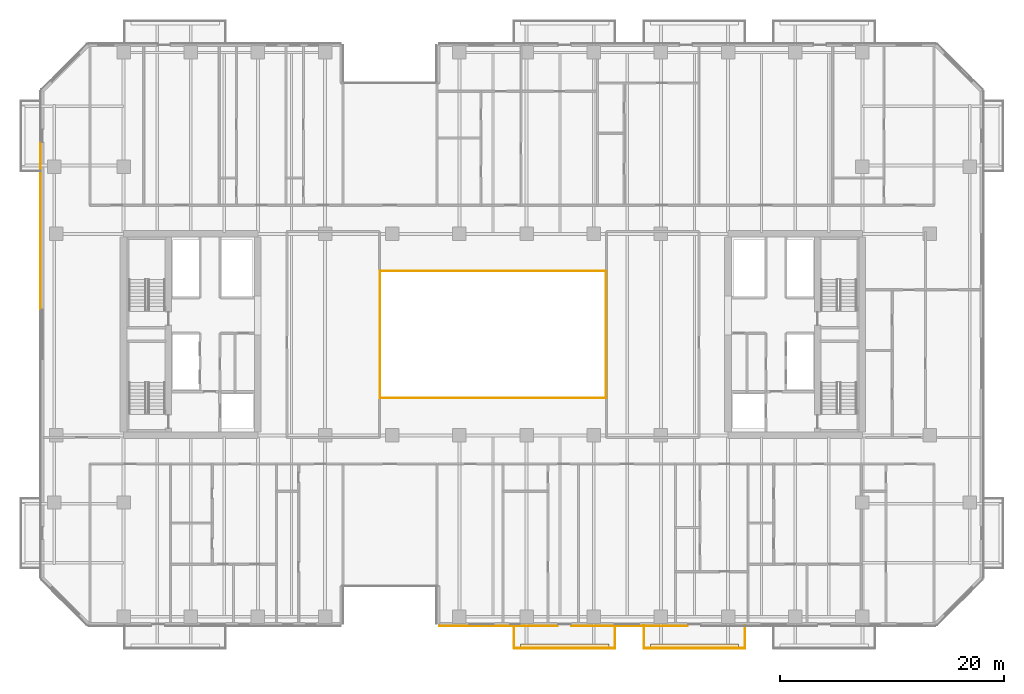
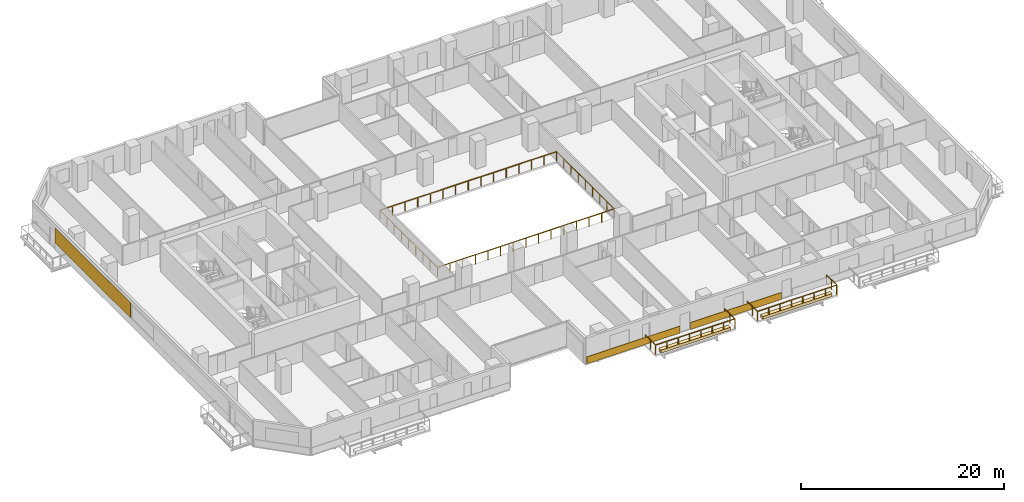
# One storey, part 21 of 26: 5 coverings, 4 railings.
"""IFC4 building model written with IfcOpenShell, lengths in metres."""

from ifc_helpers import new_model, si_unit, direction, frame, origin, origin_2d, place, context, subcontext, project, spatial, polyline, rectangle, outline, extrude, material, layer, layer_set, type_object, element, save


model = new_model("IFC4")

# Units and contexts
model_context = context("Model", 3, precision=1e-05, world=origin(), true_north=direction((0.0, 1.0)))
body_context = subcontext(model_context, "Body", "Model", "MODEL_VIEW")
ifc_project = project(units=[si_unit("LENGTHUNIT", "METRE"), si_unit("AREAUNIT", "SQUARE_METRE"), si_unit("VOLUMEUNIT", "CUBIC_METRE"), si_unit("PLANEANGLEUNIT", "RADIAN"), si_unit("MASSUNIT", "GRAM", prefix="KILO")], contexts=[model_context])

# Site, building, storey
site_placement = place(None, origin())
site = spatial("IfcSite", under=ifc_project, at=site_placement, CompositionType="ELEMENT")
building_placement = place(site_placement, origin())
building = spatial("IfcBuilding", under=site, at=building_placement, Name="Tanjung Sevakor Pilgrim Tower", CompositionType="ELEMENT")
storey_placement = place(building_placement, frame((0.0, 0.0, 45.5400390625)))
storey = spatial("IfcBuildingStorey", under=building, at=storey_placement, Name="L12", CompositionType="ELEMENT", Elevation=45.5400390625)

# Coverings
ifc_material_1 = material(Name="Reconstructed Limestone Cladding", Category="masonry")
ifc_layer_1 = layer(ifc_material_1, 0.044921875)
ifc_layer_set_1 = layer_set([ifc_layer_1], Name="COV-CLAD-LIMESTONE")
covering_type_1 = type_object("IfcCoveringType", Name="COV-CLAD-LIMESTONE", PredefinedType="CLADDING", material=ifc_layer_set_1)
covering_1_placement = place(storey_placement, frame((57.485107421875, 7.577392578125, 0.009765625), z_axis=(0.0, 0.0, 1.0), x_axis=(1.0, 0.0, 0.0)))
element("IfcCovering", 1, at=covering_1_placement, inside=storey, type_object=covering_type_1, Name="L12 Warm Limestone Sill Spandrel EW-L12-MAIN-5-1", PredefinedType="CLADDING", context=body_context, shape_type="SweptSolid", body=[
    extrude(rectangle(XDim=10.610107421875, YDim=0.044921875, at=origin_2d()), origin(), (0.0, 0.0, 1.0), 0.840087890625),
])
covering_2_placement = place(storey_placement, frame((69.199951171875, 7.577392578125, 0.009765625), z_axis=(0.0, 0.0, 1.0), x_axis=(1.0, 0.0, 0.0)))
element("IfcCovering", 2, at=covering_2_placement, inside=storey, type_object=covering_type_1, Name="L12 Warm Limestone Sill Spandrel EW-L12-MAIN-5-2", PredefinedType="CLADDING", context=body_context, shape_type="SweptSolid", body=[
    extrude(rectangle(XDim=10.3798828125, YDim=0.044921875, at=origin_2d()), origin(), (0.0, 0.0, 1.0), 0.840087890625),
])
covering_3_placement = place(storey_placement, frame((16.577392578125, 43.300048828125, 0.849853515625), z_axis=(0.0, 0.0, 1.0), x_axis=(0.0, -1.0, 0.0)))
element("IfcCovering", 3, at=covering_3_placement, inside=storey, type_object=covering_type_1, Name="L12 Warm Limestone Pier Panel EW-L12-MAIN-15-1", PredefinedType="CLADDING", context=body_context, shape_type="SweptSolid", body=[
    extrude(rectangle(XDim=14.89990234375, YDim=0.044921875, at=origin_2d()), origin(), (0.0, 0.0, 1.0), 1.81005859375),
])
ifc_material_2 = material(Name="Vegetated Modular Planter Assembly", Category="organic")
ifc_layer_2 = layer(ifc_material_2, 0.35009765625)
ifc_layer_set_2 = layer_set([ifc_layer_2], Name="COV-GRN-TROUGH")
covering_type_2 = type_object("IfcCoveringType", Name="COV-GRN-TROUGH", PredefinedType="CLADDING", material=ifc_layer_set_2)
covering_4_placement = place(storey_placement, origin())
element("IfcCovering", 4, at=covering_4_placement, inside=storey, type_object=covering_type_2, Name="L12 Planted Landscape Hedge Trough BGRN-L12-MAIN-S2", PredefinedType="CLADDING", context=body_context, shape_type="SweptSolid", body=[
    extrude(outline(polyline([(59.449951171875, 5.5), (67.35009765625, 5.5), (67.35009765625, 5.93994140625), (59.449951171875, 5.93994140625), (59.449951171875, 5.5)])), origin(), (0.0, 0.0, 1.0), 0.349853515625),
])
covering_5_placement = place(storey_placement, origin())
element("IfcCovering", 5, at=covering_5_placement, inside=storey, type_object=covering_type_2, Name="L12 Planted Landscape Hedge Trough BGRN-L12-MAIN-S3", PredefinedType="CLADDING", context=body_context, shape_type="SweptSolid", body=[
    extrude(outline(polyline([(71.050048828125, 5.5), (78.949951171875, 5.5), (78.949951171875, 5.93994140625), (71.050048828125, 5.93994140625), (71.050048828125, 5.5)])), origin(), (0.0, 0.0, 1.0), 0.349853515625),
])

# Railings
ifc_material_3 = material(Name="Laminated Glass and Aluminium", Category="aluminium")
railing_type = type_object("IfcRailingType", Name="RL-BAL-BALUST", PredefinedType="BALUSTRADE", material=ifc_material_3)
railing_1_placement = place(storey_placement, frame((46.919921875, 27.919921875, 0.0)))
element("IfcRailing", 6, at=railing_1_placement, inside=storey, type_object=railing_type, Name="L12 Void Opening Balustrade 1A", PredefinedType="BALUSTRADE", context=body_context, shape_type="SweptSolid", body=[
    extrude(rectangle(XDim=0.0479, YDim=0.0479), frame((0.0, 0.0, 1.1259765625), z_axis=(1.0, 0.0, 0.0), x_axis=(0.0, 1.0, 0.0)), (0.0, 0.0, 1.0), 20.16015625),
    extrude(rectangle(XDim=0.0479, YDim=0.0479), frame((20.16015625, 0.0, 1.1259765625), z_axis=(0.0, 1.0, 0.0), x_axis=(-1.0, 0.0, 0.0)), (0.0, 0.0, 1.0), 11.360107421875),
    extrude(rectangle(XDim=0.042, YDim=0.042), origin(), (0.0, 0.0, 1.0), 1.101806640625),
    extrude(rectangle(XDim=0.042, YDim=0.042), frame((1.43994140625, 0.0, 0.0)), (0.0, 0.0, 1.0), 1.101806640625),
    extrude(rectangle(XDim=0.042, YDim=0.042), frame((2.880126953125, 0.0, 0.0)), (0.0, 0.0, 1.0), 1.101806640625),
    extrude(rectangle(XDim=0.042, YDim=0.042), frame((4.320068359375, 0.0, 0.0)), (0.0, 0.0, 1.0), 1.101806640625),
    extrude(rectangle(XDim=0.042, YDim=0.042), frame((5.760009765625, 0.0, 0.0)), (0.0, 0.0, 1.0), 1.101806640625),
    extrude(rectangle(XDim=0.042, YDim=0.042), frame((7.199951171875, 0.0, 0.0)), (0.0, 0.0, 1.0), 1.101806640625),
    extrude(rectangle(XDim=0.042, YDim=0.042), frame((8.64013671875, 0.0, 0.0)), (0.0, 0.0, 1.0), 1.101806640625),
    extrude(rectangle(XDim=0.042, YDim=0.042), frame((10.080078125, 0.0, 0.0)), (0.0, 0.0, 1.0), 1.101806640625),
    extrude(rectangle(XDim=0.042, YDim=0.042), frame((11.52001953125, 0.0, 0.0)), (0.0, 0.0, 1.0), 1.101806640625),
    extrude(rectangle(XDim=0.042, YDim=0.042), frame((12.960205078125, 0.0, 0.0)), (0.0, 0.0, 1.0), 1.101806640625),
    extrude(rectangle(XDim=0.042, YDim=0.042), frame((14.400146484375, 0.0, 0.0)), (0.0, 0.0, 1.0), 1.101806640625),
    extrude(rectangle(XDim=0.042, YDim=0.042), frame((15.840087890625, 0.0, 0.0)), (0.0, 0.0, 1.0), 1.101806640625),
    extrude(rectangle(XDim=0.042, YDim=0.042), frame((17.280029296875, 0.0, 0.0)), (0.0, 0.0, 1.0), 1.101806640625),
    extrude(rectangle(XDim=0.042, YDim=0.042), frame((18.72021484375, 0.0, 0.0)), (0.0, 0.0, 1.0), 1.101806640625),
    extrude(rectangle(XDim=0.042, YDim=0.042), frame((20.16015625, 0.0, 0.0)), (0.0, 0.0, 1.0), 1.101806640625),
    extrude(rectangle(XDim=0.042, YDim=0.042), frame((20.16015625, 1.419921875, 0.0)), (0.0, 0.0, 1.0), 1.101806640625),
    extrude(rectangle(XDim=0.042, YDim=0.042), frame((20.16015625, 2.840087890625, 0.0)), (0.0, 0.0, 1.0), 1.101806640625),
    extrude(rectangle(XDim=0.042, YDim=0.042), frame((20.16015625, 4.260009765625, 0.0)), (0.0, 0.0, 1.0), 1.101806640625),
    extrude(rectangle(XDim=0.042, YDim=0.042), frame((20.16015625, 5.68017578125, 0.0)), (0.0, 0.0, 1.0), 1.101806640625),
    extrude(rectangle(XDim=0.042, YDim=0.042), frame((20.16015625, 7.10009765625, 0.0)), (0.0, 0.0, 1.0), 1.101806640625),
    extrude(rectangle(XDim=0.042, YDim=0.042), frame((20.16015625, 8.52001953125, 0.0)), (0.0, 0.0, 1.0), 1.101806640625),
    extrude(rectangle(XDim=0.042, YDim=0.042), frame((20.16015625, 9.940185546875, 0.0)), (0.0, 0.0, 1.0), 1.101806640625),
    extrude(rectangle(XDim=0.042, YDim=0.042), frame((20.16015625, 11.360107421875, 0.0)), (0.0, 0.0, 1.0), 1.101806640625),
])
railing_2_placement = place(storey_placement, frame((67.080078125, 39.280029296875, 0.0)))
element("IfcRailing", 7, at=railing_2_placement, inside=storey, type_object=railing_type, Name="L12 Void Opening Balustrade 1B", PredefinedType="BALUSTRADE", context=body_context, shape_type="SweptSolid", body=[
    extrude(rectangle(XDim=0.0479, YDim=0.0479), frame((0.0, 0.0, 1.1259765625), z_axis=(-1.0, 0.0, 0.0), x_axis=(0.0, -1.0, 0.0)), (0.0, 0.0, 1.0), 20.16015625),
    extrude(rectangle(XDim=0.0479, YDim=0.0479), frame((-20.16015625, 0.0, 1.1259765625), z_axis=(0.0, -1.0, 0.0), x_axis=(1.0, 0.0, 0.0)), (0.0, 0.0, 1.0), 11.360107421875),
    extrude(rectangle(XDim=0.042, YDim=0.042), origin(), (0.0, 0.0, 1.0), 1.101806640625),
    extrude(rectangle(XDim=0.042, YDim=0.042), frame((-1.43994140625, 0.0, 0.0)), (0.0, 0.0, 1.0), 1.101806640625),
    extrude(rectangle(XDim=0.042, YDim=0.042), frame((-2.880126953125, 0.0, 0.0)), (0.0, 0.0, 1.0), 1.101806640625),
    extrude(rectangle(XDim=0.042, YDim=0.042), frame((-4.320068359375, 0.0, 0.0)), (0.0, 0.0, 1.0), 1.101806640625),
    extrude(rectangle(XDim=0.042, YDim=0.042), frame((-5.760009765625, 0.0, 0.0)), (0.0, 0.0, 1.0), 1.101806640625),
    extrude(rectangle(XDim=0.042, YDim=0.042), frame((-7.199951171875, 0.0, 0.0)), (0.0, 0.0, 1.0), 1.101806640625),
    extrude(rectangle(XDim=0.042, YDim=0.042), frame((-8.64013671875, 0.0, 0.0)), (0.0, 0.0, 1.0), 1.101806640625),
    extrude(rectangle(XDim=0.042, YDim=0.042), frame((-10.080078125, 0.0, 0.0)), (0.0, 0.0, 1.0), 1.101806640625),
    extrude(rectangle(XDim=0.042, YDim=0.042), frame((-11.52001953125, 0.0, 0.0)), (0.0, 0.0, 1.0), 1.101806640625),
    extrude(rectangle(XDim=0.042, YDim=0.042), frame((-12.960205078125, 0.0, 0.0)), (0.0, 0.0, 1.0), 1.101806640625),
    extrude(rectangle(XDim=0.042, YDim=0.042), frame((-14.400146484375, 0.0, 0.0)), (0.0, 0.0, 1.0), 1.101806640625),
    extrude(rectangle(XDim=0.042, YDim=0.042), frame((-15.840087890625, 0.0, 0.0)), (0.0, 0.0, 1.0), 1.101806640625),
    extrude(rectangle(XDim=0.042, YDim=0.042), frame((-17.280029296875, 0.0, 0.0)), (0.0, 0.0, 1.0), 1.101806640625),
    extrude(rectangle(XDim=0.042, YDim=0.042), frame((-18.72021484375, 0.0, 0.0)), (0.0, 0.0, 1.0), 1.101806640625),
    extrude(rectangle(XDim=0.042, YDim=0.042), frame((-20.16015625, 0.0, 0.0)), (0.0, 0.0, 1.0), 1.101806640625),
    extrude(rectangle(XDim=0.042, YDim=0.042), frame((-20.16015625, -1.419921875, 0.0)), (0.0, 0.0, 1.0), 1.101806640625),
    extrude(rectangle(XDim=0.042, YDim=0.042), frame((-20.16015625, -2.840087890625, 0.0)), (0.0, 0.0, 1.0), 1.101806640625),
    extrude(rectangle(XDim=0.042, YDim=0.042), frame((-20.16015625, -4.260009765625, 0.0)), (0.0, 0.0, 1.0), 1.101806640625),
    extrude(rectangle(XDim=0.042, YDim=0.042), frame((-20.16015625, -5.68017578125, 0.0)), (0.0, 0.0, 1.0), 1.101806640625),
    extrude(rectangle(XDim=0.042, YDim=0.042), frame((-20.16015625, -7.10009765625, 0.0)), (0.0, 0.0, 1.0), 1.101806640625),
    extrude(rectangle(XDim=0.042, YDim=0.042), frame((-20.16015625, -8.52001953125, 0.0)), (0.0, 0.0, 1.0), 1.101806640625),
    extrude(rectangle(XDim=0.042, YDim=0.042), frame((-20.16015625, -9.940185546875, 0.0)), (0.0, 0.0, 1.0), 1.101806640625),
    extrude(rectangle(XDim=0.042, YDim=0.042), frame((-20.16015625, -11.360107421875, 0.0)), (0.0, 0.0, 1.0), 1.101806640625),
])
railing_3_placement = place(storey_placement, frame((58.8798828125, 7.60009765625, 0.0)))
element("IfcRailing", 8, at=railing_3_placement, inside=storey, type_object=railing_type, Name="L12 Loggia Balustrade MAIN-S2", PredefinedType="BALUSTRADE", context=body_context, shape_type="SweptSolid", body=[
    extrude(rectangle(XDim=0.0479, YDim=0.0479), frame((0.0, 0.0, 1.1259765625), z_axis=(0.0, -1.0, 0.0), x_axis=(1.0, 0.0, 0.0)), (0.0, 0.0, 1.0), 2.02001953125),
    extrude(rectangle(XDim=0.0479, YDim=0.0479), frame((0.0, -2.02001953125, 1.1259765625), z_axis=(1.0, 0.0, 0.0), x_axis=(0.0, 1.0, 0.0)), (0.0, 0.0, 1.0), 9.0400390625),
    extrude(rectangle(XDim=0.0479, YDim=0.0479), frame((9.0400390625, -2.02001953125, 1.1259765625), z_axis=(0.0, 1.0, 0.0), x_axis=(-1.0, 0.0, 0.0)), (0.0, 0.0, 1.0), 2.02001953125),
    extrude(rectangle(XDim=0.042, YDim=0.042), origin(), (0.0, 0.0, 1.0), 1.101806640625),
    extrude(rectangle(XDim=0.042, YDim=0.042), frame((0.0, -1.010009765625, 0.0)), (0.0, 0.0, 1.0), 1.101806640625),
    extrude(rectangle(XDim=0.042, YDim=0.042), frame((0.0, -2.02001953125, 0.0)), (0.0, 0.0, 1.0), 1.101806640625),
    extrude(rectangle(XDim=0.042, YDim=0.042), frame((1.29150390625, -2.02001953125, 0.0)), (0.0, 0.0, 1.0), 1.101806640625),
    extrude(rectangle(XDim=0.042, YDim=0.042), frame((2.582763671875, -2.02001953125, 0.0)), (0.0, 0.0, 1.0), 1.101806640625),
    extrude(rectangle(XDim=0.042, YDim=0.042), frame((3.874267578125, -2.02001953125, 0.0)), (0.0, 0.0, 1.0), 1.101806640625),
    extrude(rectangle(XDim=0.042, YDim=0.042), frame((5.165771484375, -2.02001953125, 0.0)), (0.0, 0.0, 1.0), 1.101806640625),
    extrude(rectangle(XDim=0.042, YDim=0.042), frame((6.457275390625, -2.02001953125, 0.0)), (0.0, 0.0, 1.0), 1.101806640625),
    extrude(rectangle(XDim=0.042, YDim=0.042), frame((7.74853515625, -2.02001953125, 0.0)), (0.0, 0.0, 1.0), 1.101806640625),
    extrude(rectangle(XDim=0.042, YDim=0.042), frame((9.0400390625, -2.02001953125, 0.0)), (0.0, 0.0, 1.0), 1.101806640625),
    extrude(rectangle(XDim=0.042, YDim=0.042), frame((9.0400390625, -1.010009765625, 0.0)), (0.0, 0.0, 1.0), 1.101806640625),
    extrude(rectangle(XDim=0.042, YDim=0.042), frame((9.0400390625, 0.0, 0.0)), (0.0, 0.0, 1.0), 1.101806640625),
])
railing_4_placement = place(storey_placement, frame((70.47998046875, 7.60009765625, 0.0)))
element("IfcRailing", 9, at=railing_4_placement, inside=storey, type_object=railing_type, Name="L12 Loggia Balustrade MAIN-S3", PredefinedType="BALUSTRADE", context=body_context, shape_type="SweptSolid", body=[
    extrude(rectangle(XDim=0.0479, YDim=0.0479), frame((0.0, 0.0, 1.1259765625), z_axis=(0.0, -1.0, 0.0), x_axis=(1.0, 0.0, 0.0)), (0.0, 0.0, 1.0), 2.02001953125),
    extrude(rectangle(XDim=0.0479, YDim=0.0479), frame((0.0, -2.02001953125, 1.1259765625), z_axis=(1.0, 0.0, 0.0), x_axis=(0.0, 1.0, 0.0)), (0.0, 0.0, 1.0), 9.0400390625),
    extrude(rectangle(XDim=0.0479, YDim=0.0479), frame((9.0400390625, -2.02001953125, 1.1259765625), z_axis=(0.0, 1.0, 0.0), x_axis=(-1.0, 0.0, 0.0)), (0.0, 0.0, 1.0), 2.02001953125),
    extrude(rectangle(XDim=0.042, YDim=0.042), origin(), (0.0, 0.0, 1.0), 1.101806640625),
    extrude(rectangle(XDim=0.042, YDim=0.042), frame((0.0, -1.010009765625, 0.0)), (0.0, 0.0, 1.0), 1.101806640625),
    extrude(rectangle(XDim=0.042, YDim=0.042), frame((0.0, -2.02001953125, 0.0)), (0.0, 0.0, 1.0), 1.101806640625),
    extrude(rectangle(XDim=0.042, YDim=0.042), frame((1.29150390625, -2.02001953125, 0.0)), (0.0, 0.0, 1.0), 1.101806640625),
    extrude(rectangle(XDim=0.042, YDim=0.042), frame((2.582763671875, -2.02001953125, 0.0)), (0.0, 0.0, 1.0), 1.101806640625),
    extrude(rectangle(XDim=0.042, YDim=0.042), frame((3.874267578125, -2.02001953125, 0.0)), (0.0, 0.0, 1.0), 1.101806640625),
    extrude(rectangle(XDim=0.042, YDim=0.042), frame((5.165771484375, -2.02001953125, 0.0)), (0.0, 0.0, 1.0), 1.101806640625),
    extrude(rectangle(XDim=0.042, YDim=0.042), frame((6.457275390625, -2.02001953125, 0.0)), (0.0, 0.0, 1.0), 1.101806640625),
    extrude(rectangle(XDim=0.042, YDim=0.042), frame((7.74853515625, -2.02001953125, 0.0)), (0.0, 0.0, 1.0), 1.101806640625),
    extrude(rectangle(XDim=0.042, YDim=0.042), frame((9.0400390625, -2.02001953125, 0.0)), (0.0, 0.0, 1.0), 1.101806640625),
    extrude(rectangle(XDim=0.042, YDim=0.042), frame((9.0400390625, -1.010009765625, 0.0)), (0.0, 0.0, 1.0), 1.101806640625),
    extrude(rectangle(XDim=0.042, YDim=0.042), frame((9.0400390625, 0.0, 0.0)), (0.0, 0.0, 1.0), 1.101806640625),
])

save(model, "model.ifc")
